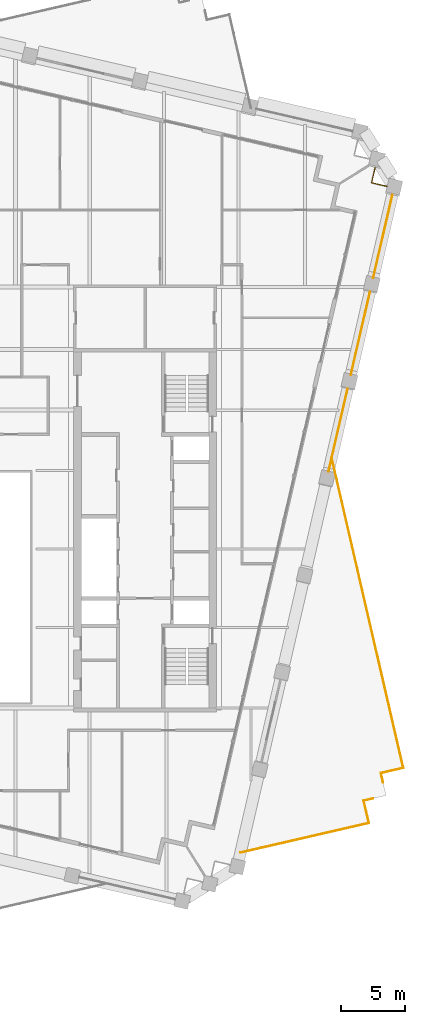
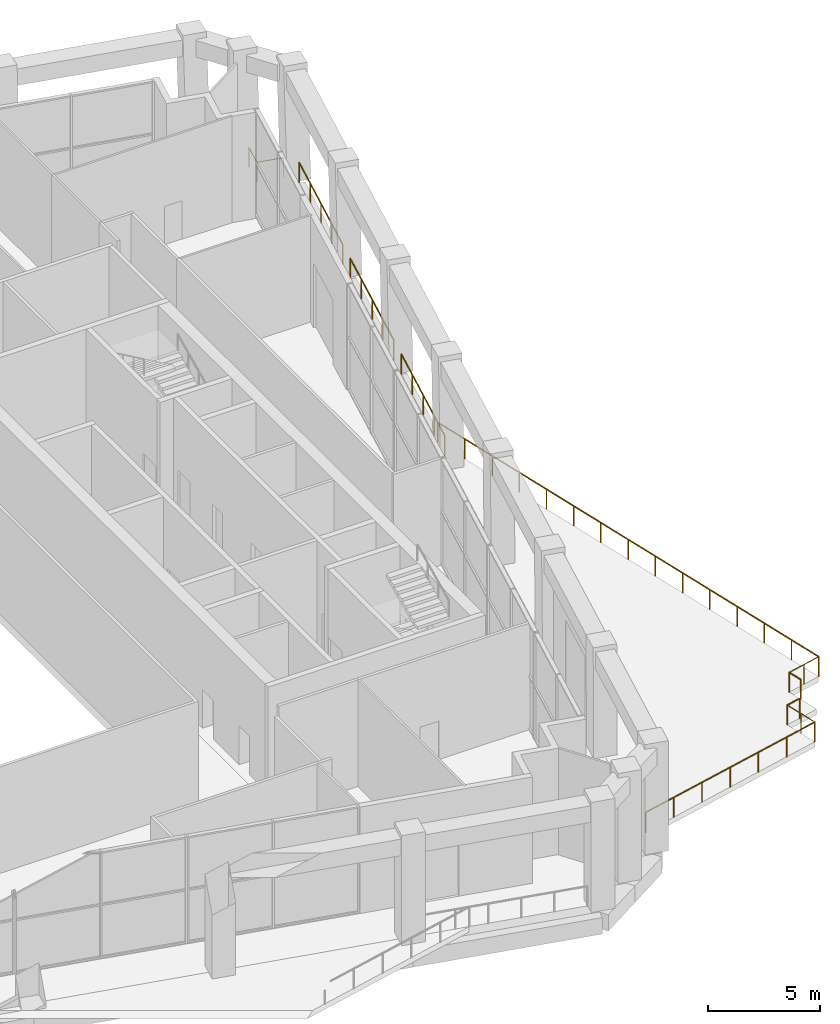
# One storey, part 20 of 21: 10 railings.
"""IFC4 building model written with IfcOpenShell, lengths in metres."""

from ifc_helpers import new_model, si_unit, direction, frame, origin, origin_2d, place, context, subcontext, project, spatial, circle, extrude, material, type_object, element, save


model = new_model("IFC4")

# Units and contexts
model_context = context("Model", 3, precision=1e-05, world=origin(), true_north=direction((0.0, 1.0)))
body_context = subcontext(model_context, "Body", "Model", "MODEL_VIEW")
ifc_project = project(units=[si_unit("LENGTHUNIT", "METRE"), si_unit("AREAUNIT", "SQUARE_METRE"), si_unit("VOLUMEUNIT", "CUBIC_METRE"), si_unit("PLANEANGLEUNIT", "RADIAN"), si_unit("MASSUNIT", "GRAM", prefix="KILO")], contexts=[model_context])

# Site, building, storey
site_placement = place(None, origin())
site = spatial("IfcSite", under=ifc_project, at=site_placement, CompositionType="ELEMENT")
building_placement = place(site_placement, origin())
building = spatial("IfcBuilding", under=site, at=building_placement, Name="Ogive Exchange Tower", CompositionType="ELEMENT")
storey_placement = place(building_placement, frame((0.0, 0.0, 237.0)))
storey = spatial("IfcBuildingStorey", under=building, at=storey_placement, Name="L51", CompositionType="ELEMENT", Elevation=237.0)

# Railings
ifc_material = material(Name="Stainless steel 316", Category="steel")
railing_type_1 = type_object("IfcRailingType", Name="Balustrade 1100 glass and stainless steel", PredefinedType="BALUSTRADE", material=ifc_material)
railing_1_placement = place(storey_placement, frame((36.249267578125, -7.1494140625, 0.0)))
element("IfcRailing", 1, at=railing_1_placement, inside=storey, type_object=railing_type_1, Name="Terrace balustrade 7", PredefinedType="BALUSTRADE", context=body_context, shape_type="SweptSolid", body=[
    extrude(circle(Radius=0.02392578125, at=origin_2d()), frame((0.0, 0.0, 1.076171875), z_axis=(-0.974386623598, -0.224879318197, 0.0), x_axis=(0.224879318197, -0.974386623598, 0.0)), (0.0, 0.0, 1.0), 1.800048828125),
    extrude(circle(Radius=0.02099609375, at=origin_2d()), origin(), (0.0, 0.0, 1.0), 1.052001953125),
    extrude(circle(Radius=0.02099609375, at=origin_2d()), frame((-0.876953125, -0.202392578125, 0.0)), (0.0, 0.0, 1.0), 1.052001953125),
    extrude(circle(Radius=0.02099609375, at=origin_2d()), frame((-1.75390625, -0.40478515625, 0.0)), (0.0, 0.0, 1.0), 1.052001953125),
])
railing_2_placement = place(storey_placement, frame((34.495361328125, -7.55419921875, 0.0)))
element("IfcRailing", 2, at=railing_2_placement, inside=storey, type_object=railing_type_1, Name="Terrace balustrade 8", PredefinedType="BALUSTRADE", context=body_context, shape_type="SweptSolid", body=[
    extrude(circle(Radius=0.02392578125, at=origin_2d()), frame((0.0, 0.0, 1.076171875), z_axis=(0.224954609936, -0.974369243905, 0.0), x_axis=(0.974369243905, 0.224954609936, 0.0)), (0.0, 0.0, 1.0), 0.75),
    extrude(circle(Radius=0.02099609375, at=origin_2d()), origin(), (0.0, 0.0, 1.0), 1.052001953125),
    extrude(circle(Radius=0.02099609375, at=origin_2d()), frame((0.168701171875, -0.730712890625, 0.0)), (0.0, 0.0, 1.0), 1.052001953125),
])
railing_3_placement = place(storey_placement, frame((33.876953125, -9.544189453125, 0.0)))
element("IfcRailing", 3, at=railing_3_placement, inside=storey, type_object=railing_type_1, Name="Terrace balustrade 9", PredefinedType="BALUSTRADE", context=body_context, shape_type="SweptSolid", body=[
    extrude(circle(Radius=0.02392578125, at=origin_2d()), frame((0.0, 0.0, 1.076171875), z_axis=(-0.974352761776, -0.225025988766, 0.0), x_axis=(0.225025988766, -0.974352761776, 0.0)), (0.0, 0.0, 1.0), 0.749755859375),
    extrude(circle(Radius=0.02099609375, at=origin_2d()), origin(), (0.0, 0.0, 1.0), 1.052001953125),
    extrude(circle(Radius=0.02099609375, at=origin_2d()), frame((-0.73046875, -0.168701171875, 0.0)), (0.0, 0.0, 1.0), 1.052001953125),
])
railing_4_placement = place(storey_placement, frame((33.146484375, -9.712890625, 0.0)))
element("IfcRailing", 4, at=railing_4_placement, inside=storey, type_object=railing_type_1, Name="Terrace balustrade 10", PredefinedType="BALUSTRADE", context=body_context, shape_type="SweptSolid", body=[
    extrude(circle(Radius=0.02392578125, at=origin_2d()), frame((0.0, 0.0, 1.076171875), z_axis=(0.224879318197, -0.974386623598, 0.0), x_axis=(0.974386623598, 0.224879318197, 0.0)), (0.0, 0.0, 1.0), 1.800048828125),
    extrude(circle(Radius=0.02099609375, at=origin_2d()), origin(), (0.0, 0.0, 1.0), 1.052001953125),
    extrude(circle(Radius=0.02099609375, at=origin_2d()), frame((0.202392578125, -0.876953125, 0.0)), (0.0, 0.0, 1.0), 1.052001953125),
    extrude(circle(Radius=0.02099609375, at=origin_2d()), frame((0.40478515625, -1.75390625, 0.0)), (0.0, 0.0, 1.0), 1.052001953125),
])
railing_5_placement = place(storey_placement, frame((33.55126953125, -11.466796875, 0.0)))
element("IfcRailing", 5, at=railing_5_placement, inside=storey, type_object=railing_type_1, Name="Terrace balustrade 11", PredefinedType="BALUSTRADE", context=body_context, shape_type="SweptSolid", body=[
    extrude(circle(Radius=0.02392578125, at=origin_2d()), frame((0.0, 0.0, 1.076171875), z_axis=(-0.974369676705, -0.224952735298, 0.0), x_axis=(0.224952735298, -0.974369676705, 0.0)), (0.0, 0.0, 1.0), 10.32763671875),
    extrude(circle(Radius=0.02099609375, at=origin_2d()), origin(), (0.0, 0.0, 1.0), 1.052001953125),
    extrude(circle(Radius=0.02099609375, at=origin_2d()), frame((-1.67724609375, -0.38720703125, 0.0)), (0.0, 0.0, 1.0), 1.052001953125),
    extrude(circle(Radius=0.02099609375, at=origin_2d()), frame((-3.354248046875, -0.7744140625, 0.0)), (0.0, 0.0, 1.0), 1.052001953125),
    extrude(circle(Radius=0.02099609375, at=origin_2d()), frame((-5.031494140625, -1.16162109375, 0.0)), (0.0, 0.0, 1.0), 1.052001953125),
    extrude(circle(Radius=0.02099609375, at=origin_2d()), frame((-6.708740234375, -1.548828125, 0.0)), (0.0, 0.0, 1.0), 1.052001953125),
    extrude(circle(Radius=0.02099609375, at=origin_2d()), frame((-8.3857421875, -1.93603515625, 0.0)), (0.0, 0.0, 1.0), 1.052001953125),
    extrude(circle(Radius=0.02099609375, at=origin_2d()), frame((-10.06298828125, -2.3232421875, 0.0)), (0.0, 0.0, 1.0), 1.052001953125),
])
railing_6_placement = place(storey_placement, frame((30.63525390625, 17.1669921875, 0.0)))
element("IfcRailing", 6, at=railing_6_placement, inside=storey, type_object=railing_type_1, Name="Terrace balustrade 12", PredefinedType="BALUSTRADE", context=body_context, shape_type="SweptSolid", body=[
    extrude(circle(Radius=0.02392578125, at=origin_2d()), frame((0.0, 0.0, 1.076171875), z_axis=(0.224955959811, -0.974368932256, 0.0), x_axis=(0.974368932256, 0.224955959811, 0.0)), (0.0, 0.0, 1.0), 24.9560546875),
    extrude(circle(Radius=0.02099609375, at=origin_2d()), origin(), (0.0, 0.0, 1.0), 1.052001953125),
    extrude(circle(Radius=0.02099609375, at=origin_2d()), frame((0.40087890625, -1.73681640625, 0.0)), (0.0, 0.0, 1.0), 1.052001953125),
    extrude(circle(Radius=0.02099609375, at=origin_2d()), frame((0.802001953125, -3.473876953125, 0.0)), (0.0, 0.0, 1.0), 1.052001953125),
    extrude(circle(Radius=0.02099609375, at=origin_2d()), frame((1.203125, -5.210693359375, 0.0)), (0.0, 0.0, 1.0), 1.052001953125),
    extrude(circle(Radius=0.02099609375, at=origin_2d()), frame((1.60400390625, -6.947509765625, 0.0)), (0.0, 0.0, 1.0), 1.052001953125),
    extrude(circle(Radius=0.02099609375, at=origin_2d()), frame((2.0048828125, -8.684326171875, 0.0)), (0.0, 0.0, 1.0), 1.052001953125),
    extrude(circle(Radius=0.02099609375, at=origin_2d()), frame((2.406005859375, -10.42138671875, 0.0)), (0.0, 0.0, 1.0), 1.052001953125),
    extrude(circle(Radius=0.02099609375, at=origin_2d()), frame((2.80712890625, -12.158203125, 0.0)), (0.0, 0.0, 1.0), 1.052001953125),
    extrude(circle(Radius=0.02099609375, at=origin_2d()), frame((3.2080078125, -13.89501953125, 0.0)), (0.0, 0.0, 1.0), 1.052001953125),
    extrude(circle(Radius=0.02099609375, at=origin_2d()), frame((3.609130859375, -15.632080078125, 0.0)), (0.0, 0.0, 1.0), 1.052001953125),
    extrude(circle(Radius=0.02099609375, at=origin_2d()), frame((4.010009765625, -17.368896484375, 0.0)), (0.0, 0.0, 1.0), 1.052001953125),
    extrude(circle(Radius=0.02099609375, at=origin_2d()), frame((4.4111328125, -19.105712890625, 0.0)), (0.0, 0.0, 1.0), 1.052001953125),
    extrude(circle(Radius=0.02099609375, at=origin_2d()), frame((4.81201171875, -20.842529296875, 0.0)), (0.0, 0.0, 1.0), 1.052001953125),
    extrude(circle(Radius=0.02099609375, at=origin_2d()), frame((5.212890625, -22.57958984375, 0.0)), (0.0, 0.0, 1.0), 1.052001953125),
    extrude(circle(Radius=0.02099609375, at=origin_2d()), frame((5.614013671875, -24.31640625, 0.0)), (0.0, 0.0, 1.0), 1.052001953125),
])
railing_type_2 = type_object("IfcRailingType", Name="Guard 1100 stainless steel and glass", PredefinedType="GUARDRAIL", material=ifc_material)
railing_7_placement = place(storey_placement, frame((30.3828125, 16.0732421875, 0.0)))
element("IfcRailing", 7, at=railing_7_placement, inside=storey, type_object=railing_type_2, Name="Loggia guard E04", PredefinedType="GUARDRAIL", context=body_context, shape_type="SweptSolid", body=[
    extrude(circle(Radius=0.02392578125, at=origin_2d()), frame((0.0, 0.0, 1.076171875), z_axis=(0.224969272902, 0.97436585852, 0.0), x_axis=(-0.97436585852, 0.224969272902, 0.0)), (0.0, 0.0, 1.0), 6.659912109375),
    extrude(circle(Radius=0.02099609375, at=origin_2d()), origin(), (0.0, 0.0, 1.0), 1.052001953125),
    extrude(circle(Radius=0.02099609375, at=origin_2d()), frame((0.37451171875, 1.622314453125, 0.0)), (0.0, 0.0, 1.0), 1.052001953125),
    extrude(circle(Radius=0.02099609375, at=origin_2d()), frame((0.7490234375, 3.24462890625, 0.0)), (0.0, 0.0, 1.0), 1.052001953125),
    extrude(circle(Radius=0.02099609375, at=origin_2d()), frame((1.123779296875, 4.866943359375, 0.0)), (0.0, 0.0, 1.0), 1.052001953125),
    extrude(circle(Radius=0.02099609375, at=origin_2d()), frame((1.498291015625, 6.4892578125, 0.0)), (0.0, 0.0, 1.0), 1.052001953125),
])
for number, where, name in (
    (8, (32.137451171875, 23.673095703125, 0.0), "Loggia guard E05"),
    (9, (33.89208984375, 31.273193359375, 0.0), "Loggia guard E06"),
):
    element("IfcRailing", number, at=place(storey_placement, frame(where)), inside=storey, type_object=railing_type_2, Name=name, PredefinedType="GUARDRAIL", context=body_context, shape_type="SweptSolid", body=[
        extrude(circle(Radius=0.02392578125, at=origin_2d()), frame((0.0, 0.0, 1.076171875), z_axis=(0.224926435811, 0.974375748094, 0.0), x_axis=(-0.974375748094, 0.224926435811, 0.0)), (0.0, 0.0, 1.0), 6.66015625),
        extrude(circle(Radius=0.02099609375, at=origin_2d()), origin(), (0.0, 0.0, 1.0), 1.052001953125),
        extrude(circle(Radius=0.02099609375, at=origin_2d()), frame((0.37451171875, 1.622314453125, 0.0)), (0.0, 0.0, 1.0), 1.052001953125),
        extrude(circle(Radius=0.02099609375, at=origin_2d()), frame((0.7490234375, 3.24462890625, 0.0)), (0.0, 0.0, 1.0), 1.052001953125),
        extrude(circle(Radius=0.02099609375, at=origin_2d()), frame((1.12353515625, 4.8671875, 0.0)), (0.0, 0.0, 1.0), 1.052001953125),
        extrude(circle(Radius=0.02099609375, at=origin_2d()), frame((1.498046875, 6.489501953125, 0.0)), (0.0, 0.0, 1.0), 1.052001953125),
    ])
railing_8_placement = place(storey_placement, frame((34.962890625, 38.4462890625, 0.0)))
element("IfcRailing", 10, at=railing_8_placement, inside=storey, type_object=railing_type_2, Name="Loggia guard C21", PredefinedType="GUARDRAIL", context=body_context, shape_type="SweptSolid", body=[
    extrude(circle(Radius=0.02392578125, at=origin_2d()), frame((0.0, 0.0, 1.076171875), z_axis=(-0.974374463127, 0.224932002185, 0.0), x_axis=(-0.224932002185, -0.974374463127, 0.0)), (0.0, 0.0, 1.0), 1.229736328125),
    extrude(circle(Radius=0.02392578125, at=origin_2d()), frame((-1.1982421875, 0.276611328125, 1.076171875), z_axis=(0.224888499434, 0.974384504609, 0.0), x_axis=(-0.974384504609, 0.224888499434, 0.0)), (0.0, 0.0, 1.0), 1.22998046875),
    extrude(circle(Radius=0.02099609375, at=origin_2d()), origin(), (0.0, 0.0, 1.0), 1.052001953125),
    extrude(circle(Radius=0.02099609375, at=origin_2d()), frame((-1.1982421875, 0.276611328125, 0.0)), (0.0, 0.0, 1.0), 1.052001953125),
    extrude(circle(Radius=0.02099609375, at=origin_2d()), frame((-0.921630859375, 1.47509765625, 0.0)), (0.0, 0.0, 1.0), 1.052001953125),
])

save(model, "model.ifc")
